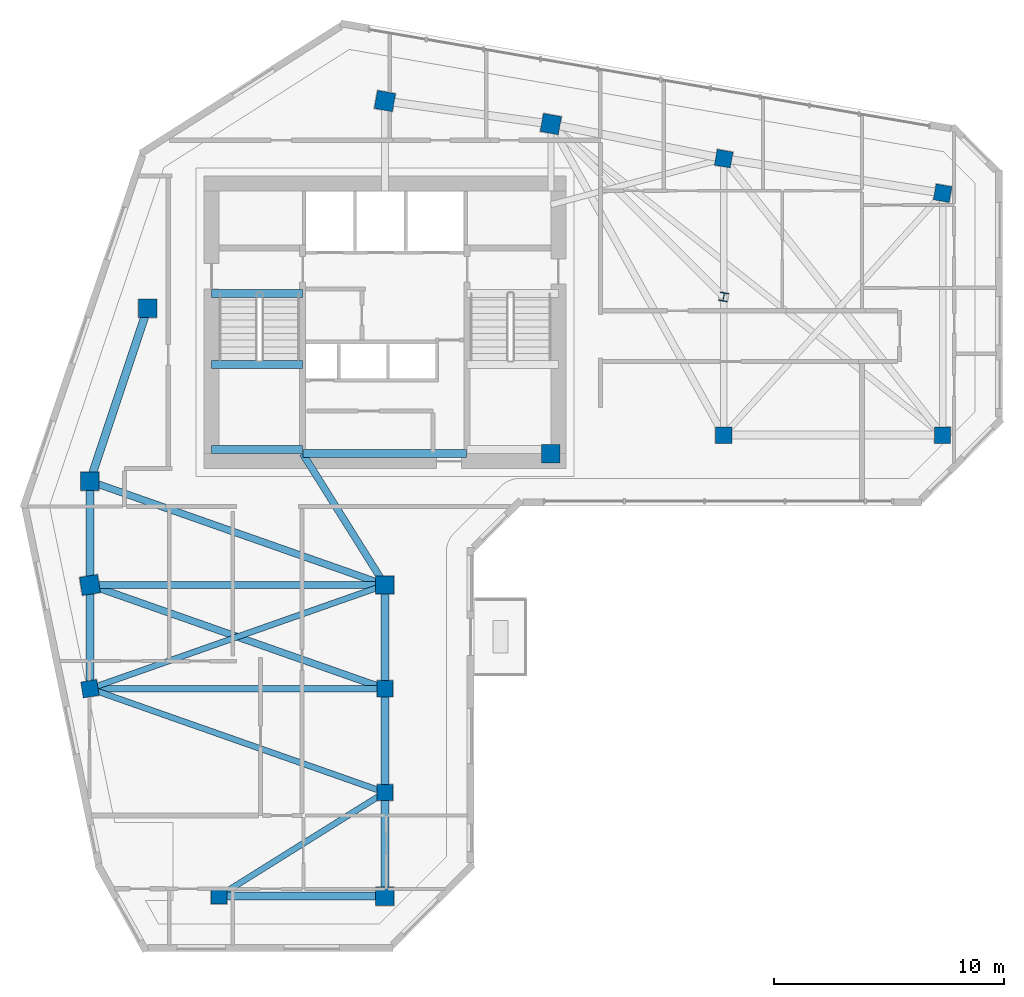
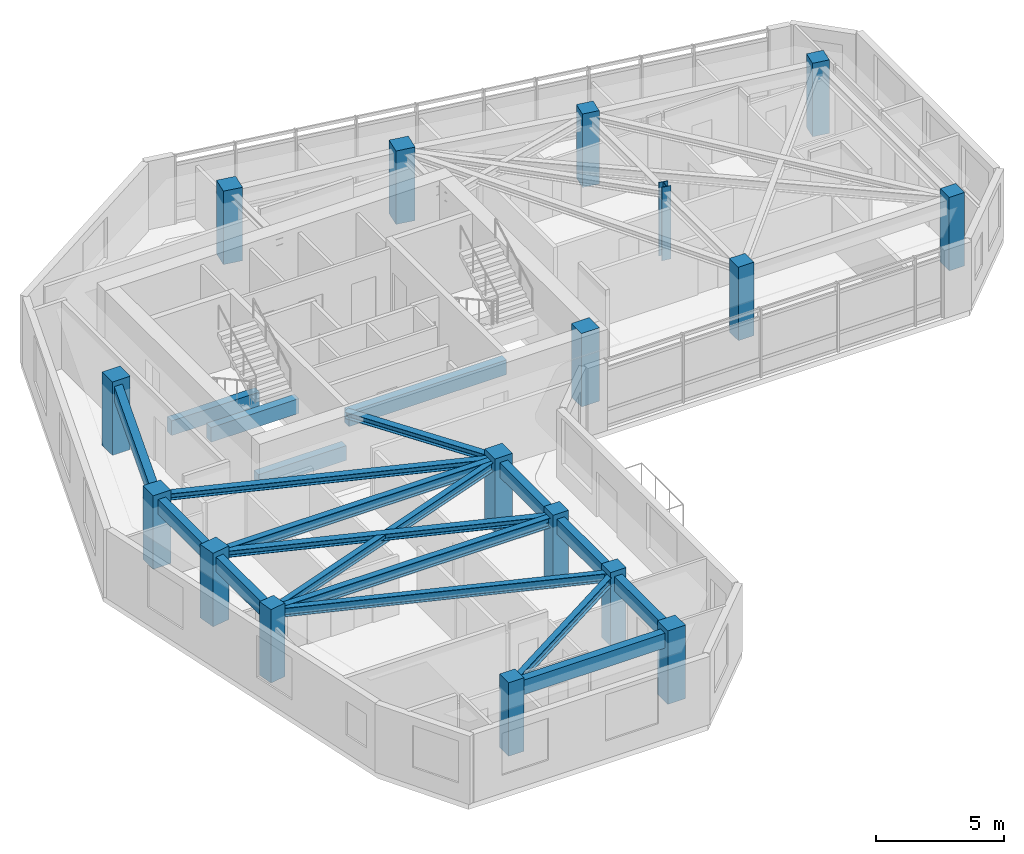
# One storey, part 1 of 10: 19 beams, 17 columns.
"""IFC4 building model written with IfcOpenShell, lengths in metres."""

from ifc_helpers import new_model, si_unit, direction, frame, origin, origin_2d, place, context, subcontext, project, spatial, rectangle, i_section, extrude, source, transform, mapped, material, material_profile, profile_set, type_object, element, save


model = new_model("IFC4")

# Units and contexts
model_context = context("Model", 3, precision=1e-05, world=origin(), true_north=direction((0.0, 1.0)))
body_context = subcontext(model_context, "Body", "Model", "MODEL_VIEW")
ifc_project = project(units=[si_unit("LENGTHUNIT", "METRE"), si_unit("AREAUNIT", "SQUARE_METRE"), si_unit("VOLUMEUNIT", "CUBIC_METRE"), si_unit("PLANEANGLEUNIT", "RADIAN"), si_unit("MASSUNIT", "GRAM", prefix="KILO")], contexts=[model_context])

# Site, building, storey
site_placement = place(None, origin())
site = spatial("IfcSite", under=ifc_project, at=site_placement, CompositionType="ELEMENT")
building_placement = place(site_placement, origin())
building = spatial("IfcBuilding", under=site, at=building_placement, Name="Calvemar Wedge Station Tower", CompositionType="ELEMENT")
storey_placement = place(building_placement, frame((0.0, 0.0, 200.89990234375)))
storey = spatial("IfcBuildingStorey", under=building, at=storey_placement, Name="L50", CompositionType="ELEMENT", Elevation=200.89990234375)

# Columns
ifc_material_1 = material(Name="Concrete C50", Category="concrete")
ifc_material_profile_1 = material_profile(ifc_material_1, rectangle(XDim=0.800048828125, YDim=0.800048828125, at=origin_2d()), Name="RC800x800")
ifc_profile_set_1 = profile_set([ifc_material_profile_1], Name="Concrete C50")
column_type_1 = type_object("IfcColumnType", Name="COL-C6-800", PredefinedType="COLUMN", material=ifc_profile_set_1)
shared_shape_1 = source(origin(), body_context, "Body", "SweptSolid", [
    extrude(rectangle(XDim=0.800048828125, YDim=0.800048828125, at=origin_2d()), origin(), (0.0, 0.0, 1.0), 3.5),
])
for number, where, z_axis, x_axis, name in (
    (1, (11.0, 33.0, 0.0), (0.0, 0.0, 1.0), (1.0, 0.0, 0.0), "Storey L50 Column T-NW1"),
    (2, (13.5, 40.5, 0.0), (0.0, 0.0, 1.0), (1.0, 0.0, 0.0), "Storey L50 Column T-NW2"),
    (3, (23.800048828125, 49.5, 0.0), (0.0, 0.0, 1.0), (0.984195607969, -0.17708474032, 0.0), "Storey L50 Column T-N1"),
    (4, (31.0, 48.5, 0.0), (0.0, 0.0, 1.0), (0.984195607969, -0.17708474032, 0.0), "Storey L50 Column T-N2"),
    (5, (31.0, 34.199951171875, 0.0), (0.0, 0.0, 1.0), (1.0, 0.0, 0.0), "Storey L50 Column T-NL1"),
    (6, (11.0, 28.5, 0.0), (0.0, 0.0, 1.0), (0.158158067254, -0.987413806751, 0.0), "Storey L50 Column T-SW1"),
    (7, (23.800048828125, 28.5, 0.0), (0.0, 0.0, 1.0), (1.0, 0.0, 0.0), "Storey L50 Column T-SE1"),
    (8, (23.800048828125, 15.0, 0.0), (0.0, 0.0, 1.0), (1.0, 0.0, 0.0), "Storey L50 Column T-SE4"),
):
    element("IfcColumn", number, at=place(storey_placement, frame(where, z_axis=z_axis, x_axis=x_axis)), inside=storey, type_object=column_type_1, Name=name, PredefinedType="COLUMN", context=body_context, shape_type="MappedRepresentation", body=[
        mapped(shared_shape_1, transform((0.0, 0.0, 0.0), scale=1.0)),
    ])
ifc_material_profile_2 = material_profile(ifc_material_1, rectangle(XDim=0.699951171875, YDim=0.699951171875, at=origin_2d()), Name="RC700x700")
ifc_profile_set_2 = profile_set([ifc_material_profile_2], Name="Concrete C50")
column_type_2 = type_object("IfcColumnType", Name="COL-C7-700", PredefinedType="COLUMN", material=ifc_profile_set_2)
shared_shape_2 = source(origin(), body_context, "Body", "SweptSolid", [
    extrude(rectangle(XDim=0.699951171875, YDim=0.699951171875, at=origin_2d()), origin(), (0.0, 0.0, 1.0), 3.5),
])
for number, where, z_axis, x_axis, name in (
    (9, (38.5, 47.0, 0.0), (0.0, 0.0, 1.0), (0.984195607969, -0.17708474032, 0.0), "Storey L50 Column T-NU3"),
    (10, (48.0, 45.5, 0.0), (0.0, 0.0, 1.0), (0.984195607969, -0.17708474032, 0.0), "Storey L50 Column T-NU4"),
    (11, (38.5, 35.0, 0.0), (0.0, 0.0, 1.0), (1.0, 0.0, 0.0), "Storey L50 Column T-NL2"),
    (12, (48.0, 35.0, 0.0), (0.0, 0.0, 1.0), (1.0, 0.0, 0.0), "Storey L50 Column T-NL3"),
    (13, (11.0, 24.0, 0.0), (0.0, 0.0, 1.0), (0.158158067254, -0.987413806751, 0.0), "Storey L50 Column T-SW2"),
    (14, (23.800048828125, 24.0, 0.0), (0.0, 0.0, 1.0), (1.0, 0.0, 0.0), "Storey L50 Column T-SE2"),
    (15, (23.800048828125, 19.5, 0.0), (0.0, 0.0, 1.0), (1.0, 0.0, 0.0), "Storey L50 Column T-SE3"),
    (16, (16.60009765625, 15.0, 0.0), (0.0, 0.0, 1.0), (1.0, 0.0, 0.0), "Storey L50 Column T-SM1"),
):
    element("IfcColumn", number, at=place(storey_placement, frame(where, z_axis=z_axis, x_axis=x_axis)), inside=storey, type_object=column_type_2, Name=name, PredefinedType="COLUMN", context=body_context, shape_type="MappedRepresentation", body=[
        mapped(shared_shape_2, transform((0.0, 0.0, 0.0), scale=1.0)),
    ])
ifc_material_2 = material(Name="Structural steel ASTM A572 Grade 50", Category="steel")
ifc_material_profile_3 = material_profile(ifc_material_2, i_section(OverallWidth=0.3740234375, OverallDepth=0.3720703125, WebThickness=0.016357421875, FlangeThickness=0.026123046875, FilletRadius=0.014892578125, at=origin_2d()), Name="W360x196")
ifc_profile_set_3 = profile_set([ifc_material_profile_3], Name="Structural steel ASTM A572 Grade 50")
column_type_3 = type_object("IfcColumnType", Name="COL-STL-W360", PredefinedType="COLUMN", material=ifc_profile_set_3)
shared_shape_3 = source(origin(), body_context, "Body", "SweptSolid", [
    extrude(i_section(OverallWidth=0.3740234375, OverallDepth=0.3720703125, WebThickness=0.016357421875, FlangeThickness=0.026123046875, FilletRadius=0.014892578125, at=origin_2d()), origin(), (0.0, 0.0, 1.0), 3.5),
])
column_placement = place(storey_placement, frame((38.5, 41.0, 0.0), z_axis=(0.0, 0.0, 1.0), x_axis=(0.984195607969, -0.17708474032, 0.0)))
element("IfcColumn", 17, at=column_placement, inside=storey, type_object=column_type_3, Name="Storey L50 Column T-NTIP-B", PredefinedType="COLUMN", context=body_context, shape_type="MappedRepresentation", body=[
    mapped(shared_shape_3, transform((0.0, 0.0, 0.0), scale=1.0)),
])

# Beams
ifc_material_3 = material(Name="Concrete C70", Category="concrete")
ifc_material_profile_4 = material_profile(ifc_material_3, rectangle(XDim=0.35009765625, YDim=0.699951171875, at=origin_2d()), Name="RC350x700")
ifc_profile_set_4 = profile_set([ifc_material_profile_4], Name="Concrete C70")
beam_type_1 = type_object("IfcBeamType", Name="BM-LN1-700", PredefinedType="LINTEL", material=ifc_profile_set_4)
shared_shape_4 = source(origin(), body_context, "Body", "SweptSolid", [
    extrude(rectangle(XDim=0.35009765625, YDim=0.699951171875, at=origin_2d()), origin(), (0.0, 0.0, 1.0), 7.10009765625),
])
beam_1_placement = place(storey_placement, frame((20.25, 34.199951171875, 2.900146484375), z_axis=(1.0, 0.0, 0.0), x_axis=(0.0, 1.0, 0.0)))
element("IfcBeam", 18, at=beam_1_placement, inside=storey, type_object=beam_type_1, Name="Storey L50 Core Coupling Lintel South", PredefinedType="LINTEL", context=body_context, shape_type="MappedRepresentation", body=[
    mapped(shared_shape_4, transform((0.0, 0.0, 0.0), scale=1.0)),
])
ifc_material_profile_5 = material_profile(ifc_material_2, i_section(OverallWidth=0.304931640625, OverallDepth=0.30810546875, WebThickness=0.010009765625, FlangeThickness=0.015380859375, FilletRadius=0.014892578125, at=origin_2d()), Name="W310x97")
ifc_profile_set_5 = profile_set([ifc_material_profile_5], Name="Structural steel ASTM A572 Grade 50")
beam_type_2 = type_object("IfcBeamType", Name="BM-J6-W310", PredefinedType="JOIST", material=ifc_profile_set_5)
shared_shape_5 = source(origin(), body_context, "Body", "SweptSolid", [
    extrude(i_section(OverallWidth=0.304931640625, OverallDepth=0.30810546875, WebThickness=0.010009765625, FlangeThickness=0.015380859375, FilletRadius=0.014892578125, at=origin_2d()), origin(), (0.0, 0.0, 1.0), 13.568115234375),
])
for number, where, z_axis, x_axis, name in (
    (19, (11.0, 33.0, 3.09619140625), (0.943398221169, -0.331662171939, 0.0), (0.331662171939, 0.943398221169, 0.0), "Storey L50 Floor Beam T-NW1-T-SE1"),
    (20, (11.0, 28.5, 3.09619140625), (0.943398221169, -0.331662171939, 0.0), (0.331662171939, 0.943398221169, 0.0), "Storey L50 Floor Beam T-SW1-T-SE2"),
):
    element("IfcBeam", number, at=place(storey_placement, frame(where, z_axis=z_axis, x_axis=x_axis)), inside=storey, type_object=beam_type_2, Name=name, PredefinedType="JOIST", context=body_context, shape_type="MappedRepresentation", body=[
        mapped(shared_shape_5, transform((0.0, 0.0, 0.0), scale=1.0)),
    ])
ifc_material_profile_6 = material_profile(ifc_material_2, i_section(OverallWidth=0.260986328125, OverallDepth=0.419921875, WebThickness=0.01171875, FlangeThickness=0.019287109375, FilletRadius=0.012939453125, at=origin_2d()), Name="W410x114")
ifc_profile_set_6 = profile_set([ifc_material_profile_6], Name="Structural steel ASTM A572 Grade 50")
beam_type_3 = type_object("IfcBeamType", Name="BM-J2-W410H", PredefinedType="JOIST", material=ifc_profile_set_6)
shared_shape_6 = source(origin(), body_context, "Body", "SweptSolid", [
    extrude(i_section(OverallWidth=0.260986328125, OverallDepth=0.419921875, WebThickness=0.01171875, FlangeThickness=0.019287109375, FilletRadius=0.012939453125, at=origin_2d()), origin(), (0.0, 0.0, 1.0), 13.568115234375),
])
for number, where, z_axis, x_axis, name in (
    (21, (23.800048828125, 28.5, 3.0400390625), (-0.943398221169, -0.331662171939, 0.0), (0.331662171939, -0.943398221169, 0.0), "Storey L50 Floor Beam T-SE1-T-SW2"),
    (22, (11.0, 24.0, 3.0400390625), (0.943398221169, -0.331662171939, 0.0), (0.331662171939, 0.943398221169, 0.0), "Storey L50 Floor Beam T-SW2-T-SE3"),
):
    element("IfcBeam", number, at=place(storey_placement, frame(where, z_axis=z_axis, x_axis=x_axis)), inside=storey, type_object=beam_type_3, Name=name, PredefinedType="JOIST", context=body_context, shape_type="MappedRepresentation", body=[
        mapped(shared_shape_6, transform((0.0, 0.0, 0.0), scale=1.0)),
    ])
shared_shape_7 = source(origin(), body_context, "Body", "SweptSolid", [
    extrude(i_section(OverallWidth=0.260986328125, OverallDepth=0.419921875, WebThickness=0.01171875, FlangeThickness=0.019287109375, FilletRadius=0.012939453125, at=origin_2d()), origin(), (0.0, 0.0, 1.0), 8.490478515625),
])
beam_2_placement = place(storey_placement, frame((23.800048828125, 19.5, 3.0400390625), z_axis=(-0.847996688584, -0.530001524668, 0.0), x_axis=(0.530001524668, -0.847996688584, 0.0)))
element("IfcBeam", 23, at=beam_2_placement, inside=storey, type_object=beam_type_3, Name="Storey L50 Floor Beam T-SE3-T-SM1", PredefinedType="JOIST", context=body_context, shape_type="MappedRepresentation", body=[
    mapped(shared_shape_7, transform((0.0, 0.0, 0.0), scale=1.0)),
])
shared_shape_8 = source(origin(), body_context, "Body", "SweptSolid", [
    extrude(i_section(OverallWidth=0.304931640625, OverallDepth=0.30810546875, WebThickness=0.010009765625, FlangeThickness=0.015380859375, FilletRadius=0.014892578125, at=origin_2d()), origin(), (0.0, 0.0, 1.0), 6.7255859375),
])
beam_3_placement = place(storey_placement, frame((20.22998046875, 34.199951171875, 3.09619140625), z_axis=(0.530811158438, -0.847490126242, 0.0), x_axis=(0.847490126242, 0.530811158438, 0.0)))
element("IfcBeam", 24, at=beam_3_placement, inside=storey, type_object=beam_type_2, Name="Storey L50 Core-to-Column Joist CJ-S2", PredefinedType="JOIST", context=body_context, shape_type="MappedRepresentation", body=[
    mapped(shared_shape_8, transform((0.0, 0.0, 0.0), scale=1.0)),
])
shared_shape_9 = source(origin(), body_context, "Body", "SweptSolid", [
    extrude(rectangle(XDim=0.35009765625, YDim=0.699951171875, at=origin_2d()), origin(), (0.0, 0.0, 1.0), 3.955078125),
])
for number, where, z_axis, x_axis, name in (
    (25, (16.27490234375, 41.14990234375, -0.349853515625), (1.0, 0.0, 0.0), (0.0, 1.0, 0.0), "Storey L50 Stair ST-C1 Landing Trimmer Beam"),
    (26, (16.27490234375, 34.3798828125, 1.2001953125), (1.0, 0.0, 0.0), (0.0, 1.0, 0.0), "Storey L50 Stair ST-C1 Half-Landing Beam 1A"),
    (27, (16.27490234375, 38.070068359375, 1.2001953125), (1.0, 0.0, 0.0), (0.0, 1.0, 0.0), "Storey L50 Stair ST-C1 Half-Landing Beam 1B"),
):
    element("IfcBeam", number, at=place(storey_placement, frame(where, z_axis=z_axis, x_axis=x_axis)), inside=storey, type_object=beam_type_1, Name=name, PredefinedType="LINTEL", context=body_context, shape_type="MappedRepresentation", body=[
        mapped(shared_shape_9, transform((0.0, 0.0, 0.0), scale=1.0)),
    ])
ifc_material_profile_7 = material_profile(ifc_material_1, rectangle(XDim=0.35009765625, YDim=0.699951171875, at=origin_2d()), Name="RC350x700")
ifc_profile_set_7 = profile_set([ifc_material_profile_7], Name="Concrete C50")
beam_type_4 = type_object("IfcBeamType", Name="BM-SP2-700", PredefinedType="SPANDREL", material=ifc_profile_set_7)
shared_shape_10 = source(origin(), body_context, "Body", "SweptSolid", [
    extrude(rectangle(XDim=0.35009765625, YDim=0.699951171875, at=origin_2d()), origin(), (0.0, 0.0, 1.0), 7.90576171875),
])
beam_4_placement = place(storey_placement, frame((11.0, 33.0, 2.900146484375), z_axis=(0.316227766017, 0.948683298051, 0.0), x_axis=(-0.948683298051, 0.316227766017, 0.0)))
element("IfcBeam", 28, at=beam_4_placement, inside=storey, type_object=beam_type_4, Name="Storey L50 Spandrel T-NW1-T-NW2", PredefinedType="SPANDREL", context=body_context, shape_type="MappedRepresentation", body=[
    mapped(shared_shape_10, transform((0.0, 0.0, 0.0), scale=1.0)),
])
shared_shape_11 = source(origin(), body_context, "Body", "SweptSolid", [
    extrude(rectangle(XDim=0.35009765625, YDim=0.699951171875, at=origin_2d()), origin(), (0.0, 0.0, 1.0), 4.5),
])
for number, where, z_axis, x_axis, name in (
    (29, (11.0, 33.0, 2.900146484375), (0.0, -1.0, 0.0), (1.0, 0.0, 0.0), "Storey L50 Spandrel T-NW1-T-SW1"),
    (30, (11.0, 28.5, 2.900146484375), (0.0, -1.0, 0.0), (1.0, 0.0, 0.0), "Storey L50 Spandrel T-SW1-T-SW2"),
    (31, (23.800048828125, 28.5, 2.900146484375), (0.0, -1.0, 0.0), (1.0, 0.0, 0.0), "Storey L50 Spandrel T-SE1-T-SE2"),
    (32, (23.800048828125, 24.0, 2.900146484375), (0.0, -1.0, 0.0), (1.0, 0.0, 0.0), "Storey L50 Spandrel T-SE2-T-SE3"),
    (33, (23.800048828125, 19.5, 2.900146484375), (0.0, -1.0, 0.0), (1.0, 0.0, 0.0), "Storey L50 Spandrel T-SE3-T-SE4"),
):
    element("IfcBeam", number, at=place(storey_placement, frame(where, z_axis=z_axis, x_axis=x_axis)), inside=storey, type_object=beam_type_4, Name=name, PredefinedType="SPANDREL", context=body_context, shape_type="MappedRepresentation", body=[
        mapped(shared_shape_11, transform((0.0, 0.0, 0.0), scale=1.0)),
    ])
shared_shape_12 = source(origin(), body_context, "Body", "SweptSolid", [
    extrude(rectangle(XDim=0.35009765625, YDim=0.699951171875, at=origin_2d()), origin(), (0.0, 0.0, 1.0), 7.199951171875),
])
beam_5_placement = place(storey_placement, frame((16.60009765625, 15.0, 2.900146484375), z_axis=(1.0, 0.0, 0.0), x_axis=(0.0, 1.0, 0.0)))
element("IfcBeam", 34, at=beam_5_placement, inside=storey, type_object=beam_type_4, Name="Storey L50 Spandrel T-SM1-T-SE4", PredefinedType="SPANDREL", context=body_context, shape_type="MappedRepresentation", body=[
    mapped(shared_shape_12, transform((0.0, 0.0, 0.0), scale=1.0)),
])
ifc_material_profile_8 = material_profile(ifc_material_2, i_section(OverallWidth=0.283935546875, OverallDepth=0.47607421875, WebThickness=0.014892578125, FlangeThickness=0.02392578125, FilletRadius=0.014892578125, at=origin_2d()), Name="W460x158")
ifc_profile_set_8 = profile_set([ifc_material_profile_8], Name="Structural steel ASTM A572 Grade 50")
beam_type_5 = type_object("IfcBeamType", Name="BM-SB5-W460H", PredefinedType="BEAM", material=ifc_profile_set_8)
shared_shape_13 = source(origin(), body_context, "Body", "SweptSolid", [
    extrude(i_section(OverallWidth=0.283935546875, OverallDepth=0.47607421875, WebThickness=0.014892578125, FlangeThickness=0.02392578125, FilletRadius=0.014892578125, at=origin_2d()), origin(), (0.0, 0.0, 1.0), 12.800048828125),
])
for number, where, z_axis, x_axis, name in (
    (35, (11.0, 28.5, 3.01220703125), (1.0, 0.0, 0.0), (0.0, 1.0, 0.0), "Storey L50 Floor Beam T-SW1-T-SE1"),
    (36, (11.0, 24.0, 3.01220703125), (1.0, 0.0, 0.0), (0.0, 1.0, 0.0), "Storey L50 Floor Beam T-SW2-T-SE2"),
):
    element("IfcBeam", number, at=place(storey_placement, frame(where, z_axis=z_axis, x_axis=x_axis)), inside=storey, type_object=beam_type_5, Name=name, PredefinedType="BEAM", context=body_context, shape_type="MappedRepresentation", body=[
        mapped(shared_shape_13, transform((0.0, 0.0, 0.0), scale=1.0)),
    ])

save(model, "model.ifc")
